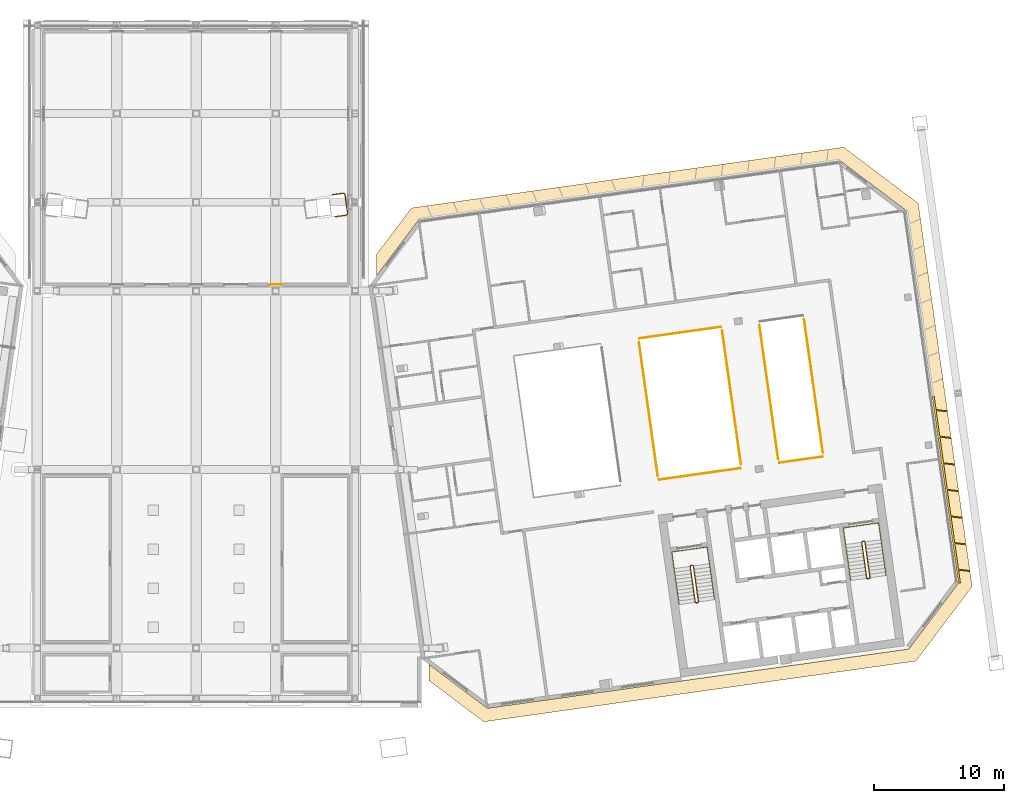
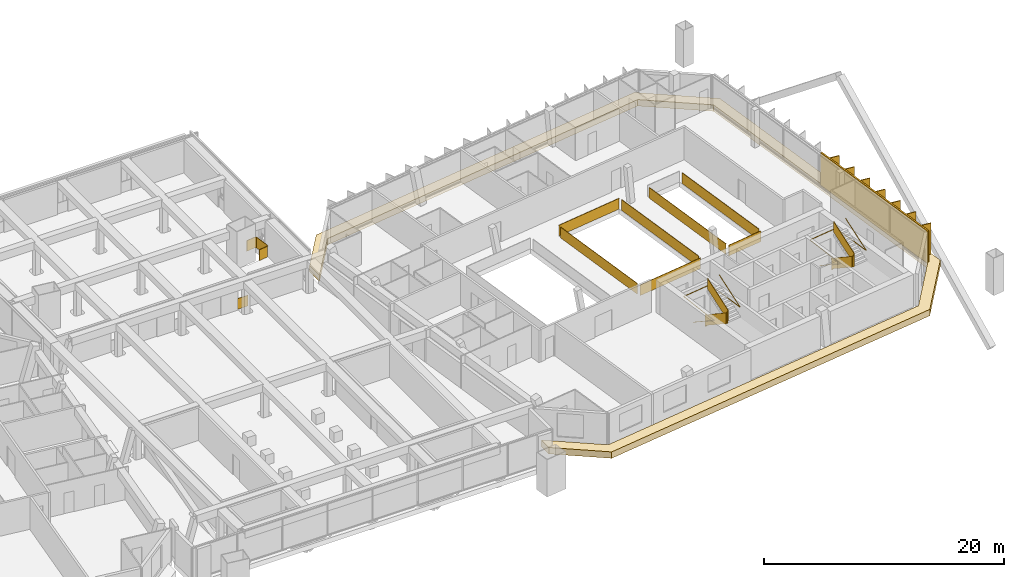
# One storey, part 26 of 28: 13 railings, 1 covering, 1 shading device.
"""IFC4 building model written with IfcOpenShell, lengths in metres."""

import ifcopenshell
import ifcopenshell.guid

model = None  # the IFC model being written
_history = None  # IfcOwnerHistory: only IFC2X3 demands one
_inside = {}  # id of a spatial element -> (the spatial element, [elements in it])
_under = {}  # id of a project, library or spatial element -> (it, [spatial elements below it])
_declared = {}  # id of a project -> (the project, [libraries it declares])
_typed = {}  # id of a type object -> (the type object, [elements of that type])
_made_of = {}  # id of a material, layer set ... -> (it, [elements and type objects made of it])


def new_model(schema):
    """Start an empty IFC model of exactly this schema.

    Asked for "IFC4X3", IfcOpenShell would pick the latest addendum, in which some entities
    have other attributes; the version numbers below select the first issue.
    IFC2X3 requires an IfcOwnerHistory on every rooted entity: one is made here for all.
    """
    global model, _history
    if schema == "IFC4X3":
        model = ifcopenshell.file(schema_version=(4, 3, 0, 0))
    else:
        model = ifcopenshell.file(schema=schema)
    _inside.clear()
    _under.clear()
    _declared.clear()
    _typed.clear()
    _made_of.clear()
    _history = None
    if model.schema == "IFC2X3":
        org = make("IfcOrganization", Name="unknown")
        user = make(
            "IfcPersonAndOrganization",
            ThePerson=make("IfcPerson", FamilyName="unknown"),
            TheOrganization=org,
        )
        app = make(
            "IfcApplication",
            ApplicationDeveloper=org,
            Version="unknown",
            ApplicationFullName="unknown",
            ApplicationIdentifier="unknown",
        )
        _history = make(
            "IfcOwnerHistory",
            OwningUser=user,
            OwningApplication=app,
            ChangeAction="ADDED",
            CreationDate=0,
        )
    return model


def make(cls, **values):
    """One entity of the class cls with the attributes given. An attribute that is None is left unset."""
    return model.create_entity(
        cls, **{name: value for name, value in values.items() if value is not None}
    )


def rooted(cls, **values):
    """An entity with a GlobalId (a new one), such as an element, a storey or a relation."""
    return make(cls, GlobalId=ifcopenshell.guid.new(), OwnerHistory=_history, **values)


def si_unit(unit_type, name, prefix=None):
    """IfcSIUnit, for example si_unit("LENGTHUNIT", "METRE", prefix="MILLI")."""
    return make("IfcSIUnit", UnitType=unit_type, Prefix=prefix, Name=name)


def assignment(units):
    """IfcUnitAssignment: the units of a project."""
    return None if units is None else make("IfcUnitAssignment", Units=units)


def point(xyz):
    """IfcCartesianPoint."""
    return None if xyz is None else make("IfcCartesianPoint", Coordinates=xyz)


def direction(xyz):
    """IfcDirection."""
    return None if xyz is None else make("IfcDirection", DirectionRatios=xyz)


def frame(location, z_axis=None, x_axis=None):
    """IfcAxis2Placement3D, a coordinate frame: its origin and axes. An axis left out is left unset."""
    return make(
        "IfcAxis2Placement3D",
        Location=point(location),
        Axis=direction(z_axis),
        RefDirection=direction(x_axis),
    )


def frame_2d(location, x_axis=None):
    """IfcAxis2Placement2D, a coordinate frame in the plane: its origin and x axis."""
    return make(
        "IfcAxis2Placement2D", Location=point(location), RefDirection=direction(x_axis)
    )


def origin():
    """The frame at (0, 0, 0) with its axes left unset."""
    return frame((0.0, 0.0, 0.0))


def origin_2d():
    """The frame at (0, 0) in the plane with its x axis left unset."""
    return frame_2d((0.0, 0.0))


def place(relative_to, where):
    """IfcLocalPlacement: puts the frame where relative to a parent placement (None: the world)."""
    return make(
        "IfcLocalPlacement", PlacementRelTo=relative_to, RelativePlacement=where
    )


def context(
    kind, dimensions, precision=None, world=None, true_north=None, identifier=None
):
    """IfcGeometricRepresentationContext, for example the 3D "Model" context."""
    return make(
        "IfcGeometricRepresentationContext",
        ContextIdentifier=identifier,
        ContextType=kind,
        CoordinateSpaceDimension=dimensions,
        Precision=precision,
        WorldCoordinateSystem=world,
        TrueNorth=true_north,
    )


def subcontext(parent, identifier, kind, view, scale=None):
    """IfcGeometricRepresentationSubContext, for example "Body" below "Model"."""
    return make(
        "IfcGeometricRepresentationSubContext",
        ContextIdentifier=identifier,
        ContextType=kind,
        ParentContext=parent,
        TargetScale=scale,
        TargetView=view,
    )


def project(units=None, contexts=None):
    """IfcProject with its units and contexts."""
    return rooted(
        "IfcProject",
        Name="project",
        RepresentationContexts=contexts,
        UnitsInContext=assignment(units),
    )


def spatial(cls, under=None, at=None, **own):
    """A site, building, storey or space (cls), placed at a placement, below another one or the project."""
    s = rooted(cls, ObjectPlacement=at, **own)
    if under is not None:
        _under.setdefault(under.id(), (under, []))[1].append(s)
    return s


def polyline(points):
    """IfcPolyline through the points."""
    return make("IfcPolyline", Points=[point(p) for p in points])


def profile(cls, at=None, kind="AREA", **sizes):
    """A parametric profile (cls). Its sizes go by their IFC names, for example OverallWidth=200.0."""
    return make(cls, ProfileType=kind, Position=at, **sizes)


def rectangle(**sizes):
    """IfcRectangleProfileDef."""
    return profile("IfcRectangleProfileDef", **sizes)


def outline(outer, holes=None, kind="AREA"):
    """IfcArbitraryClosedProfileDef: a profile drawn as a closed curve; with holes, ...WithVoids."""
    if holes is None:
        return make("IfcArbitraryClosedProfileDef", ProfileType=kind, OuterCurve=outer)
    return make(
        "IfcArbitraryProfileDefWithVoids",
        ProfileType=kind,
        OuterCurve=outer,
        InnerCurves=holes,
    )


def extrude(swept, where, along, depth):
    """IfcExtrudedAreaSolid: the profile swept, set in the frame where, extruded along a direction by depth."""
    return make(
        "IfcExtrudedAreaSolid",
        SweptArea=swept,
        Position=where,
        ExtrudedDirection=direction(along),
        Depth=depth,
    )


def shape(context_of_items, identifier, shape_type, items):
    """IfcShapeRepresentation: the items that make up one representation, for example the "Body"."""
    return make(
        "IfcShapeRepresentation",
        ContextOfItems=context_of_items,
        RepresentationIdentifier=identifier,
        RepresentationType=shape_type,
        Items=items,
    )


def material(Name=None, Category=None):
    """IfcMaterial."""
    return make("IfcMaterial", Name=Name, Category=Category)


def layer(
    of_material, thickness, ventilated=None, Name=None, Category=None, Priority=None
):
    """IfcMaterialLayer: one layer of a wall or slab, of a material (None: an air gap)."""
    return make(
        "IfcMaterialLayer",
        Material=of_material,
        LayerThickness=thickness,
        IsVentilated=ventilated,
        Name=Name,
        Category=Category,
        Priority=Priority,
    )


def layer_set(layers, Name=None):
    """IfcMaterialLayerSet."""
    return make("IfcMaterialLayerSet", MaterialLayers=layers, LayerSetName=Name)


def made_of(thing, what):
    """Note that an element or type object is made of a material, layer set ...; save() writes the relation."""
    if what is not None:
        _made_of.setdefault(what.id(), (what, []))[1].append(thing)
    return thing


def type_object(cls, material=None, **own):
    """A type object (cls), such as IfcWallType, which elements share."""
    return made_of(rooted(cls, **own), material)


def element(
    cls,
    number,
    at=None,
    inside=None,
    cuts=None,
    type_object=None,
    material=None,
    context=None,
    identifier="Body",
    shape_type=None,
    held_by="IfcProductDefinitionShape",
    body=None,
    shapes=None,
    **own,
):
    """One element of the class cls, such as IfcWall. Its Tag is "e" and its number.

    at: its placement. inside: the storey or other place that contains it. cuts: it is an
    opening in that element (IfcRelVoidsElement). A single representation is given by context,
    identifier, shape_type and body (its items); several are given by shapes. held_by: the class
    of the entity that holds the representations. save() writes the other relations.
    """
    e = rooted(cls, Tag="e%d" % number, ObjectPlacement=at, **own)
    if body is not None:
        shapes = [shape(context, identifier, shape_type, body)]
    if shapes is not None:
        e.Representation = make(held_by, Representations=shapes)
    if inside is not None:
        _inside.setdefault(inside.id(), (inside, []))[1].append(e)
    if cuts is not None:
        rooted(
            "IfcRelVoidsElement", RelatingBuildingElement=cuts, RelatedOpeningElement=e
        )
    if type_object is not None:
        _typed.setdefault(type_object.id(), (type_object, []))[1].append(e)
    return made_of(e, material)


def aggregate(whole, parts):
    """IfcRelAggregates: a whole, such as a stair, and the parts it consists of."""
    return rooted("IfcRelAggregates", RelatingObject=whole, RelatedObjects=parts)


def save(model, path):
    """Write the relations noted so far, then the file.

    IfcRelAggregates (storeys below a building ...), IfcRelContainedInSpatialStructure (elements
    in a storey), IfcRelDefinesByType, IfcRelAssociatesMaterial and IfcRelDeclares: one each for
    every whole, place, type object, material and project.
    """
    for whole, parts in _under.values():
        aggregate(whole, parts)
    for where, things in _inside.values():
        rooted(
            "IfcRelContainedInSpatialStructure",
            RelatedElements=things,
            RelatingStructure=where,
        )
    for kind, things in _typed.values():
        rooted("IfcRelDefinesByType", RelatedObjects=things, RelatingType=kind)
    for what, things in _made_of.values():
        rooted("IfcRelAssociatesMaterial", RelatedObjects=things, RelatingMaterial=what)
    for by, libraries in _declared.values():
        rooted("IfcRelDeclares", RelatingContext=by, RelatedDefinitions=libraries)
    model.write(path)


model = new_model("IFC4")

# Units and contexts
model_context = context("Model", 3, precision=1e-05, world=origin(), true_north=direction((0.0, 1.0)))
body_context = subcontext(model_context, "Body", "Model", "MODEL_VIEW")
ifc_project = project(units=[si_unit("LENGTHUNIT", "METRE"), si_unit("AREAUNIT", "SQUARE_METRE"), si_unit("VOLUMEUNIT", "CUBIC_METRE"), si_unit("PLANEANGLEUNIT", "RADIAN"), si_unit("MASSUNIT", "GRAM", prefix="KILO")], contexts=[model_context])

# Site, building, storey
site_placement = place(None, origin())
site = spatial("IfcSite", under=ifc_project, at=site_placement, CompositionType="ELEMENT")
building_placement = place(site_placement, origin())
building = spatial("IfcBuilding", under=site, at=building_placement, Name="Mirante Cascada Hotel Towers", CompositionType="ELEMENT")
storey_placement = place(building_placement, frame((0.0, 0.0, 262.2)))
storey = spatial("IfcBuildingStorey", under=building, at=storey_placement, Name="L63", CompositionType="ELEMENT", Elevation=262.2)

# Railings
ifc_material_1 = material(Name="Toughened glass with stainless steel handrail", Category="steel")
railing_type_1 = type_object("IfcRailingType", Name="Atrium guard 1100 glass balustrade", PredefinedType="GUARDRAIL", material=ifc_material_1)
railing_1_placement = place(storey_placement, frame((35.6724, -4.6362, 0.0)))
element("IfcRailing", 1, at=railing_1_placement, inside=storey, type_object=railing_type_1, Name="GUARD 2-L63-2", PredefinedType="GUARDRAIL", context=body_context, shape_type="SweptSolid", body=[
    extrude(rectangle(XDim=0.048, YDim=0.048, at=origin_2d()), frame((0.0, 0.0, 1.076), z_axis=(0.9902682, 0.1391722, 0.0), x_axis=(-0.1391722, 0.9902682, 0.0)), (0.0, 0.0, 1.0), 6.3748),
    extrude(rectangle(XDim=0.02, YDim=1.052, at=origin_2d()), frame((0.0, 0.0, 0.526), z_axis=(0.9902682, 0.1391722, 0.0), x_axis=(-0.1391722, 0.9902682, 0.0)), (0.0, 0.0, 1.0), 6.3748),
])
railing_2_placement = place(storey_placement, frame((40.4543, 7.1439, 0.0)))
element("IfcRailing", 2, at=railing_2_placement, inside=storey, type_object=railing_type_1, Name="GUARD 2-L63-3", PredefinedType="GUARDRAIL", context=body_context, shape_type="SweptSolid", body=[
    extrude(rectangle(XDim=0.048, YDim=0.048, at=origin_2d()), frame((0.0, 0.0, 1.076), z_axis=(-0.9902682, -0.1391722, 0.0), x_axis=(0.1391722, -0.9902682, 0.0)), (0.0, 0.0, 1.0), 6.3748),
    extrude(rectangle(XDim=0.02, YDim=1.052, at=origin_2d()), frame((0.0, 0.0, 0.526), z_axis=(-0.9902682, -0.1391722, 0.0), x_axis=(0.1391722, -0.9902682, 0.0)), (0.0, 0.0, 1.0), 6.3748),
])
railing_3_placement = place(storey_placement, frame((44.9561, -3.3315, 0.0)))
element("IfcRailing", 3, at=railing_3_placement, inside=storey, type_object=railing_type_1, Name="GUARD 2-L63-4", PredefinedType="GUARDRAIL", context=body_context, shape_type="SweptSolid", body=[
    extrude(rectangle(XDim=0.048, YDim=0.048, at=origin_2d()), frame((0.0, 0.0, 1.076), z_axis=(-1.0, 0.0, 0.0), x_axis=(0.0, -1.0, 0.0)), (0.0, 0.0, 1.0), 0.0001),
    extrude(rectangle(XDim=0.02, YDim=1.052, at=origin_2d()), frame((0.0, 0.0, 0.526), z_axis=(-1.0, 0.0, 0.0), x_axis=(0.0, -1.0, 0.0)), (0.0, 0.0, 1.0), 0.0001),
    extrude(rectangle(XDim=0.048, YDim=0.048, at=origin_2d()), frame((-0.0001, 0.0, 1.076), z_axis=(0.9902676, 0.1391767, 0.0), x_axis=(-0.1391767, 0.9902676, 0.0)), (0.0, 0.0, 1.0), 3.3748),
    extrude(rectangle(XDim=0.02, YDim=1.052, at=origin_2d()), frame((-0.0001, 0.0, 0.526), z_axis=(0.9902676, 0.1391767, 0.0), x_axis=(-0.1391767, 0.9902676, 0.0)), (0.0, 0.0, 1.0), 3.3748),
    extrude(rectangle(XDim=0.048, YDim=0.048, at=origin_2d()), frame((3.3419, 0.4697, 1.076), z_axis=(-0.9902566, -0.1392548, 0.0), x_axis=(0.1392548, -0.9902566, 0.0)), (0.0, 0.0, 1.0), 0.1874),
    extrude(rectangle(XDim=0.02, YDim=1.052, at=origin_2d()), frame((3.3419, 0.4697, 0.526), z_axis=(-0.9902566, -0.1392548, 0.0), x_axis=(0.1392548, -0.9902566, 0.0)), (0.0, 0.0, 1.0), 0.1874),
])
railing_4_placement = place(storey_placement, frame((34.1341, 5.9571, 0.0)))
element("IfcRailing", 4, at=railing_4_placement, inside=storey, type_object=railing_type_1, Name="GUARD 2-L63-7", PredefinedType="GUARDRAIL", context=body_context, shape_type="SweptSolid", body=[
    extrude(rectangle(XDim=0.048, YDim=0.048, at=origin_2d()), frame((0.0, 0.0, 1.076), z_axis=(0.1391721, -0.9902682, 0.0), x_axis=(0.9902682, 0.1391721, 0.0)), (0.0, 0.0, 1.0), 10.4087),
    extrude(rectangle(XDim=0.02, YDim=1.052, at=origin_2d()), frame((0.0, 0.0, 0.526), z_axis=(0.1391721, -0.9902682, 0.0), x_axis=(0.9902682, 0.1391721, 0.0)), (0.0, 0.0, 1.0), 10.4087),
])
railing_5_placement = place(storey_placement, frame((41.9926, -3.4494, 0.0)))
element("IfcRailing", 5, at=railing_5_placement, inside=storey, type_object=railing_type_1, Name="GUARD 2-L63-8", PredefinedType="GUARDRAIL", context=body_context, shape_type="SweptSolid", body=[
    extrude(rectangle(XDim=0.048, YDim=0.048, at=origin_2d()), frame((0.0, 0.0, 1.076), z_axis=(-0.1391721, 0.9902682, 0.0), x_axis=(-0.9902682, -0.1391721, 0.0)), (0.0, 0.0, 1.0), 10.4087),
    extrude(rectangle(XDim=0.02, YDim=1.052, at=origin_2d()), frame((0.0, 0.0, 0.526), z_axis=(-0.1391721, 0.9902682, 0.0), x_axis=(-0.9902682, -0.1391721, 0.0)), (0.0, 0.0, 1.0), 10.4087),
])
railing_6_placement = place(storey_placement, frame((43.4177, 7.2619, 0.0)))
element("IfcRailing", 6, at=railing_6_placement, inside=storey, type_object=railing_type_1, Name="GUARD 2-L63-9", PredefinedType="GUARDRAIL", context=body_context, shape_type="SweptSolid", body=[
    extrude(rectangle(XDim=0.048, YDim=0.048, at=origin_2d()), frame((0.0, 0.0, 1.076), z_axis=(0.1391721, -0.9902682, 0.0), x_axis=(0.9902682, 0.1391721, 0.0)), (0.0, 0.0, 1.0), 10.4087),
    extrude(rectangle(XDim=0.02, YDim=1.052, at=origin_2d()), frame((0.0, 0.0, 0.526), z_axis=(0.1391721, -0.9902682, 0.0), x_axis=(0.9902682, 0.1391721, 0.0)), (0.0, 0.0, 1.0), 10.4087),
])
railing_7_placement = place(storey_placement, frame((48.3064, -2.5622, 0.0)))
element("IfcRailing", 7, at=railing_7_placement, inside=storey, type_object=railing_type_1, Name="GUARD 2-L63-10", PredefinedType="GUARDRAIL", context=body_context, shape_type="SweptSolid", body=[
    extrude(rectangle(XDim=0.048, YDim=0.048, at=origin_2d()), frame((0.0, 0.0, 1.076), z_axis=(-0.1391776, 0.9902674, 0.0), x_axis=(-0.9902674, -0.1391776, 0.0)), (0.0, 0.0, 1.0), 10.409),
    extrude(rectangle(XDim=0.02, YDim=1.052, at=origin_2d()), frame((0.0, 0.0, 0.526), z_axis=(-0.1391776, 0.9902674, 0.0), x_axis=(-0.9902674, -0.1391776, 0.0)), (0.0, 0.0, 1.0), 10.409),
])
ifc_material_2 = material(Name="Toughened glass", Category="glass")
railing_type_2 = type_object("IfcRailingType", Name="Deck column opening guard 1100 glass balustrade", PredefinedType="GUARDRAIL", material=ifc_material_2)
railing_8_placement = place(storey_placement, frame((10.7317, 15.64, 0.0)))
element("IfcRailing", 8, at=railing_8_placement, inside=storey, type_object=railing_type_2, Name="Column opening guard L63 4", PredefinedType="GUARDRAIL", context=body_context, shape_type="SweptSolid", body=[
    extrude(rectangle(XDim=0.048, YDim=0.048, at=origin_2d()), frame((0.0, 0.0, 1.076), z_axis=(0.9902563, 0.1392567, 0.0), x_axis=(-0.1392567, 0.9902563, 0.0)), (0.0, 0.0, 1.0), 0.815),
    extrude(rectangle(XDim=0.02, YDim=1.052, at=origin_2d()), frame((0.0, 0.0, 0.526), z_axis=(0.9902563, 0.1392567, 0.0), x_axis=(-0.1392567, 0.9902563, 0.0)), (0.0, 0.0, 1.0), 0.815),
    extrude(rectangle(XDim=0.048, YDim=0.048, at=origin_2d()), frame((0.8071, 0.1135, 1.076), z_axis=(0.9825335, 0.1860859, 0.0), x_axis=(-0.1860859, 0.9825335, 0.0)), (0.0, 0.0, 1.0), 0.0134),
    extrude(rectangle(XDim=0.02, YDim=1.052, at=origin_2d()), frame((0.8071, 0.1135, 0.526), z_axis=(0.9825335, 0.1860859, 0.0), x_axis=(-0.1860859, 0.9825335, 0.0)), (0.0, 0.0, 1.0), 0.0134),
    extrude(rectangle(XDim=0.048, YDim=0.048, at=origin_2d()), frame((0.8203, 0.116, 1.076), z_axis=(0.9589343, 0.2836284, 0.0), x_axis=(-0.2836284, 0.9589343, 0.0)), (0.0, 0.0, 1.0), 0.0148),
    extrude(rectangle(XDim=0.02, YDim=1.052, at=origin_2d()), frame((0.8203, 0.116, 0.526), z_axis=(0.9589343, 0.2836284, 0.0), x_axis=(-0.2836284, 0.9589343, 0.0)), (0.0, 0.0, 1.0), 0.0148),
    extrude(rectangle(XDim=0.048, YDim=0.048, at=origin_2d()), frame((0.8345, 0.1202, 1.076), z_axis=(0.9270597, 0.3749138, 0.0), x_axis=(-0.3749138, 0.9270597, 0.0)), (0.0, 0.0, 1.0), 0.0147),
    extrude(rectangle(XDim=0.02, YDim=1.052, at=origin_2d()), frame((0.8345, 0.1202, 0.526), z_axis=(0.9270597, 0.3749138, 0.0), x_axis=(-0.3749138, 0.9270597, 0.0)), (0.0, 0.0, 1.0), 0.0147),
    extrude(rectangle(XDim=0.048, YDim=0.048, at=origin_2d()), frame((0.8481, 0.1257, 1.076), z_axis=(0.8875494, 0.4607126, 0.0), x_axis=(-0.4607126, 0.8875494, 0.0)), (0.0, 0.0, 1.0), 0.0148),
    extrude(rectangle(XDim=0.02, YDim=1.052, at=origin_2d()), frame((0.8481, 0.1257, 0.526), z_axis=(0.8875494, 0.4607126, 0.0), x_axis=(-0.4607126, 0.8875494, 0.0)), (0.0, 0.0, 1.0), 0.0148),
    extrude(rectangle(XDim=0.048, YDim=0.048, at=origin_2d()), frame((0.8612, 0.1325, 1.076), z_axis=(0.8351709, 0.5499906, 0.0), x_axis=(-0.5499906, 0.8351709, 0.0)), (0.0, 0.0, 1.0), 0.0147),
    extrude(rectangle(XDim=0.02, YDim=1.052, at=origin_2d()), frame((0.8612, 0.1325, 0.526), z_axis=(0.8351709, 0.5499906, 0.0), x_axis=(-0.5499906, 0.8351709, 0.0)), (0.0, 0.0, 1.0), 0.0147),
    extrude(rectangle(XDim=0.048, YDim=0.048, at=origin_2d()), frame((0.8735, 0.1406, 1.076), z_axis=(0.774865, 0.6321267, 0.0), x_axis=(-0.6321267, 0.774865, 0.0)), (0.0, 0.0, 1.0), 0.0147),
    extrude(rectangle(XDim=0.02, YDim=1.052, at=origin_2d()), frame((0.8735, 0.1406, 0.526), z_axis=(0.774865, 0.6321267, 0.0), x_axis=(-0.6321267, 0.774865, 0.0)), (0.0, 0.0, 1.0), 0.0147),
    extrude(rectangle(XDim=0.048, YDim=0.048, at=origin_2d()), frame((0.8849, 0.1499, 1.076), z_axis=(0.7138729, 0.7002753, 0.0), x_axis=(-0.7002753, 0.7138729, 0.0)), (0.0, 0.0, 1.0), 0.0147),
    extrude(rectangle(XDim=0.02, YDim=1.052, at=origin_2d()), frame((0.8849, 0.1499, 0.526), z_axis=(0.7138729, 0.7002753, 0.0), x_axis=(-0.7002753, 0.7138729, 0.0)), (0.0, 0.0, 1.0), 0.0147),
    extrude(rectangle(XDim=0.048, YDim=0.048, at=origin_2d()), frame((0.8954, 0.1602, 1.076), z_axis=(0.639515, 0.7687786, 0.0), x_axis=(-0.7687786, 0.639515, 0.0)), (0.0, 0.0, 1.0), 0.0147),
    extrude(rectangle(XDim=0.02, YDim=1.052, at=origin_2d()), frame((0.8954, 0.1602, 0.526), z_axis=(0.639515, 0.7687786, 0.0), x_axis=(-0.7687786, 0.639515, 0.0)), (0.0, 0.0, 1.0), 0.0147),
    extrude(rectangle(XDim=0.048, YDim=0.048, at=origin_2d()), frame((0.9048, 0.1715, 1.076), z_axis=(0.5624954, 0.8268004, 0.0), x_axis=(-0.8268004, 0.5624954, 0.0)), (0.0, 0.0, 1.0), 0.0148),
    extrude(rectangle(XDim=0.02, YDim=1.052, at=origin_2d()), frame((0.9048, 0.1715, 0.526), z_axis=(0.5624954, 0.8268004, 0.0), x_axis=(-0.8268004, 0.5624954, 0.0)), (0.0, 0.0, 1.0), 0.0148),
    extrude(rectangle(XDim=0.048, YDim=0.048, at=origin_2d()), frame((0.9131, 0.1837, 1.076), z_axis=(0.4821794, 0.8760725, 0.0), x_axis=(-0.8760725, 0.4821794, 0.0)), (0.0, 0.0, 1.0), 0.0147),
    extrude(rectangle(XDim=0.02, YDim=1.052, at=origin_2d()), frame((0.9131, 0.1837, 0.526), z_axis=(0.4821794, 0.8760725, 0.0), x_axis=(-0.8760725, 0.4821794, 0.0)), (0.0, 0.0, 1.0), 0.0147),
    extrude(rectangle(XDim=0.048, YDim=0.048, at=origin_2d()), frame((0.9202, 0.1966, 1.076), z_axis=(0.3865406, 0.9222724, 0.0), x_axis=(-0.9222724, 0.3865406, 0.0)), (0.0, 0.0, 1.0), 0.0147),
    extrude(rectangle(XDim=0.02, YDim=1.052, at=origin_2d()), frame((0.9202, 0.1966, 0.526), z_axis=(0.3865406, 0.9222724, 0.0), x_axis=(-0.9222724, 0.3865406, 0.0)), (0.0, 0.0, 1.0), 0.0147),
    extrude(rectangle(XDim=0.048, YDim=0.048, at=origin_2d()), frame((0.9259, 0.2102, 1.076), z_axis=(0.2978895, 0.9546004, 0.0), x_axis=(-0.9546004, 0.2978895, 0.0)), (0.0, 0.0, 1.0), 0.0148),
    extrude(rectangle(XDim=0.02, YDim=1.052, at=origin_2d()), frame((0.9259, 0.2102, 0.526), z_axis=(0.2978895, 0.9546004, 0.0), x_axis=(-0.9546004, 0.2978895, 0.0)), (0.0, 0.0, 1.0), 0.0148),
    extrude(rectangle(XDim=0.048, YDim=0.048, at=origin_2d()), frame((0.9303, 0.2243, 1.076), z_axis=(0.2039543, 0.9789804, 0.0), x_axis=(-0.9789804, 0.2039543, 0.0)), (0.0, 0.0, 1.0), 0.0147),
    extrude(rectangle(XDim=0.02, YDim=1.052, at=origin_2d()), frame((0.9303, 0.2243, 0.526), z_axis=(0.2039543, 0.9789804, 0.0), x_axis=(-0.9789804, 0.2039543, 0.0)), (0.0, 0.0, 1.0), 0.0147),
    extrude(rectangle(XDim=0.048, YDim=0.048, at=origin_2d()), frame((0.9333, 0.2387, 1.076), z_axis=(0.1022017, 0.9947637, 0.0), x_axis=(-0.9947637, 0.1022017, 0.0)), (0.0, 0.0, 1.0), 0.0147),
    extrude(rectangle(XDim=0.02, YDim=1.052, at=origin_2d()), frame((0.9333, 0.2387, 0.526), z_axis=(0.1022017, 0.9947637, 0.0), x_axis=(-0.9947637, 0.1022017, 0.0)), (0.0, 0.0, 1.0), 0.0147),
    extrude(rectangle(XDim=0.048, YDim=0.048, at=origin_2d()), frame((0.9348, 0.2533, 1.076), z_axis=(0.0067566, 0.9999772, 0.0), x_axis=(-0.9999772, 0.0067566, 0.0)), (0.0, 0.0, 1.0), 0.0148),
    extrude(rectangle(XDim=0.02, YDim=1.052, at=origin_2d()), frame((0.9348, 0.2533, 0.526), z_axis=(0.0067566, 0.9999772, 0.0), x_axis=(-0.9999772, 0.0067566, 0.0)), (0.0, 0.0, 1.0), 0.0148),
    extrude(rectangle(XDim=0.048, YDim=0.048, at=origin_2d()), frame((0.9349, 0.2681, 1.076), z_axis=(-0.0891953, 0.9960142, 0.0), x_axis=(-0.9960142, -0.0891953, 0.0)), (0.0, 0.0, 1.0), 0.0135),
    extrude(rectangle(XDim=0.02, YDim=1.052, at=origin_2d()), frame((0.9349, 0.2681, 0.526), z_axis=(-0.0891953, 0.9960142, 0.0), x_axis=(-0.9960142, -0.0891953, 0.0)), (0.0, 0.0, 1.0), 0.0135),
    extrude(rectangle(XDim=0.048, YDim=0.048, at=origin_2d()), frame((0.9337, 0.2815, 1.076), z_axis=(-0.1391849, 0.9902664, 0.0), x_axis=(-0.9902664, -0.1391849, 0.0)), (0.0, 0.0, 1.0), 1.4025),
    extrude(rectangle(XDim=0.02, YDim=1.052, at=origin_2d()), frame((0.9337, 0.2815, 0.526), z_axis=(-0.1391849, 0.9902664, 0.0), x_axis=(-0.9902664, -0.1391849, 0.0)), (0.0, 0.0, 1.0), 1.4025),
    extrude(rectangle(XDim=0.048, YDim=0.048, at=origin_2d()), frame((0.7385, 1.6703, 1.076), z_axis=(-0.1847347, 0.9827884, 0.0), x_axis=(-0.9827884, -0.1847347, 0.0)), (0.0, 0.0, 1.0), 0.0135),
    extrude(rectangle(XDim=0.02, YDim=1.052, at=origin_2d()), frame((0.7385, 1.6703, 0.526), z_axis=(-0.1847347, 0.9827884, 0.0), x_axis=(-0.9827884, -0.1847347, 0.0)), (0.0, 0.0, 1.0), 0.0135),
    extrude(rectangle(XDim=0.048, YDim=0.048, at=origin_2d()), frame((0.736, 1.6836, 1.076), z_axis=(-0.2854766, 0.9583857, 0.0), x_axis=(-0.9583857, -0.2854766, 0.0)), (0.0, 0.0, 1.0), 0.0147),
    extrude(rectangle(XDim=0.02, YDim=1.052, at=origin_2d()), frame((0.736, 1.6836, 0.526), z_axis=(-0.2854766, 0.9583857, 0.0), x_axis=(-0.9583857, -0.2854766, 0.0)), (0.0, 0.0, 1.0), 0.0147),
    extrude(rectangle(XDim=0.048, YDim=0.048, at=origin_2d()), frame((0.7318, 1.6977, 1.076), z_axis=(-0.3749138, 0.9270597, 0.0), x_axis=(-0.9270597, -0.3749138, 0.0)), (0.0, 0.0, 1.0), 0.0147),
    extrude(rectangle(XDim=0.02, YDim=1.052, at=origin_2d()), frame((0.7318, 1.6977, 0.526), z_axis=(-0.3749138, 0.9270597, 0.0), x_axis=(-0.9270597, -0.3749138, 0.0)), (0.0, 0.0, 1.0), 0.0147),
    extrude(rectangle(XDim=0.048, YDim=0.048, at=origin_2d()), frame((0.7263, 1.7113, 1.076), z_axis=(-0.4607126, 0.8875494, 0.0), x_axis=(-0.8875494, -0.4607126, 0.0)), (0.0, 0.0, 1.0), 0.0148),
    extrude(rectangle(XDim=0.02, YDim=1.052, at=origin_2d()), frame((0.7263, 1.7113, 0.526), z_axis=(-0.4607126, 0.8875494, 0.0), x_axis=(-0.8875494, -0.4607126, 0.0)), (0.0, 0.0, 1.0), 0.0148),
    extrude(rectangle(XDim=0.048, YDim=0.048, at=origin_2d()), frame((0.7195, 1.7244, 1.076), z_axis=(-0.5499906, 0.8351709, 0.0), x_axis=(-0.8351709, -0.5499906, 0.0)), (0.0, 0.0, 1.0), 0.0147),
    extrude(rectangle(XDim=0.02, YDim=1.052, at=origin_2d()), frame((0.7195, 1.7244, 0.526), z_axis=(-0.5499906, 0.8351709, 0.0), x_axis=(-0.8351709, -0.5499906, 0.0)), (0.0, 0.0, 1.0), 0.0147),
    extrude(rectangle(XDim=0.048, YDim=0.048, at=origin_2d()), frame((0.7114, 1.7367, 1.076), z_axis=(-0.6321267, 0.774865, 0.0), x_axis=(-0.774865, -0.6321267, 0.0)), (0.0, 0.0, 1.0), 0.0147),
    extrude(rectangle(XDim=0.02, YDim=1.052, at=origin_2d()), frame((0.7114, 1.7367, 0.526), z_axis=(-0.6321267, 0.774865, 0.0), x_axis=(-0.774865, -0.6321267, 0.0)), (0.0, 0.0, 1.0), 0.0147),
    extrude(rectangle(XDim=0.048, YDim=0.048, at=origin_2d()), frame((0.7021, 1.7481, 1.076), z_axis=(-0.7002753, 0.7138729, 0.0), x_axis=(-0.7138729, -0.7002753, 0.0)), (0.0, 0.0, 1.0), 0.0147),
    extrude(rectangle(XDim=0.02, YDim=1.052, at=origin_2d()), frame((0.7021, 1.7481, 0.526), z_axis=(-0.7002753, 0.7138729, 0.0), x_axis=(-0.7138729, -0.7002753, 0.0)), (0.0, 0.0, 1.0), 0.0147),
    extrude(rectangle(XDim=0.048, YDim=0.048, at=origin_2d()), frame((0.6918, 1.7586, 1.076), z_axis=(-0.7654379, 0.6435098, 0.0), x_axis=(-0.6435098, -0.7654379, 0.0)), (0.0, 0.0, 1.0), 0.0148),
    extrude(rectangle(XDim=0.02, YDim=1.052, at=origin_2d()), frame((0.6918, 1.7586, 0.526), z_axis=(-0.7654379, 0.6435098, 0.0), x_axis=(-0.6435098, -0.7654379, 0.0)), (0.0, 0.0, 1.0), 0.0148),
    extrude(rectangle(XDim=0.048, YDim=0.048, at=origin_2d()), frame((0.6805, 1.7681, 1.076), z_axis=(-0.8299512, 0.557836, 0.0), x_axis=(-0.557836, -0.8299512, 0.0)), (0.0, 0.0, 1.0), 0.0147),
    extrude(rectangle(XDim=0.02, YDim=1.052, at=origin_2d()), frame((0.6805, 1.7681, 0.526), z_axis=(-0.8299512, 0.557836, 0.0), x_axis=(-0.557836, -0.8299512, 0.0)), (0.0, 0.0, 1.0), 0.0147),
    extrude(rectangle(XDim=0.048, YDim=0.048, at=origin_2d()), frame((0.6683, 1.7763, 1.076), z_axis=(-0.8760725, 0.4821794, 0.0), x_axis=(-0.4821794, -0.8760725, 0.0)), (0.0, 0.0, 1.0), 0.0147),
    extrude(rectangle(XDim=0.02, YDim=1.052, at=origin_2d()), frame((0.6683, 1.7763, 0.526), z_axis=(-0.8760725, 0.4821794, 0.0), x_axis=(-0.4821794, -0.8760725, 0.0)), (0.0, 0.0, 1.0), 0.0147),
    extrude(rectangle(XDim=0.048, YDim=0.048, at=origin_2d()), frame((0.6554, 1.7834, 1.076), z_axis=(-0.9222724, 0.3865406, 0.0), x_axis=(-0.3865406, -0.9222724, 0.0)), (0.0, 0.0, 1.0), 0.0147),
    extrude(rectangle(XDim=0.02, YDim=1.052, at=origin_2d()), frame((0.6554, 1.7834, 0.526), z_axis=(-0.9222724, 0.3865406, 0.0), x_axis=(-0.3865406, -0.9222724, 0.0)), (0.0, 0.0, 1.0), 0.0147),
    extrude(rectangle(XDim=0.048, YDim=0.048, at=origin_2d()), frame((0.6418, 1.7891, 1.076), z_axis=(-0.9546004, 0.2978895, 0.0), x_axis=(-0.2978895, -0.9546004, 0.0)), (0.0, 0.0, 1.0), 0.0148),
    extrude(rectangle(XDim=0.02, YDim=1.052, at=origin_2d()), frame((0.6418, 1.7891, 0.526), z_axis=(-0.9546004, 0.2978895, 0.0), x_axis=(-0.2978895, -0.9546004, 0.0)), (0.0, 0.0, 1.0), 0.0148),
    extrude(rectangle(XDim=0.048, YDim=0.048, at=origin_2d()), frame((0.6277, 1.7935, 1.076), z_axis=(-0.9789804, 0.2039543, 0.0), x_axis=(-0.2039543, -0.9789804, 0.0)), (0.0, 0.0, 1.0), 0.0147),
    extrude(rectangle(XDim=0.02, YDim=1.052, at=origin_2d()), frame((0.6277, 1.7935, 0.526), z_axis=(-0.9789804, 0.2039543, 0.0), x_axis=(-0.2039543, -0.9789804, 0.0)), (0.0, 0.0, 1.0), 0.0147),
    extrude(rectangle(XDim=0.048, YDim=0.048, at=origin_2d()), frame((0.6133, 1.7965, 1.076), z_axis=(-0.9947637, 0.1022017, 0.0), x_axis=(-0.1022017, -0.9947637, 0.0)), (0.0, 0.0, 1.0), 0.0147),
    extrude(rectangle(XDim=0.02, YDim=1.052, at=origin_2d()), frame((0.6133, 1.7965, 0.526), z_axis=(-0.9947637, 0.1022017, 0.0), x_axis=(-0.1022017, -0.9947637, 0.0)), (0.0, 0.0, 1.0), 0.0147),
    extrude(rectangle(XDim=0.048, YDim=0.048, at=origin_2d()), frame((0.5987, 1.798, 1.076), z_axis=(-0.9999772, 0.0067566, 0.0), x_axis=(-0.0067566, -0.9999772, 0.0)), (0.0, 0.0, 1.0), 0.0148),
    extrude(rectangle(XDim=0.02, YDim=1.052, at=origin_2d()), frame((0.5987, 1.798, 0.526), z_axis=(-0.9999772, 0.0067566, 0.0), x_axis=(-0.0067566, -0.9999772, 0.0)), (0.0, 0.0, 1.0), 0.0148),
    extrude(rectangle(XDim=0.048, YDim=0.048, at=origin_2d()), frame((0.5839, 1.7981, 1.076), z_axis=(-0.9960142, -0.0891953, 0.0), x_axis=(0.0891953, -0.9960142, 0.0)), (0.0, 0.0, 1.0), 0.0135),
    extrude(rectangle(XDim=0.02, YDim=1.052, at=origin_2d()), frame((0.5839, 1.7981, 0.526), z_axis=(-0.9960142, -0.0891953, 0.0), x_axis=(0.0891953, -0.9960142, 0.0)), (0.0, 0.0, 1.0), 0.0135),
    extrude(rectangle(XDim=0.048, YDim=0.048, at=origin_2d()), frame((0.5705, 1.7969, 1.076), z_axis=(-0.9902732, -0.1391364, 0.0), x_axis=(0.1391364, -0.9902732, 0.0)), (0.0, 0.0, 1.0), 0.815),
    extrude(rectangle(XDim=0.02, YDim=1.052, at=origin_2d()), frame((0.5705, 1.7969, 0.526), z_axis=(-0.9902732, -0.1391364, 0.0), x_axis=(0.1391364, -0.9902732, 0.0)), (0.0, 0.0, 1.0), 0.815),
])

# Covering
ifc_material_3 = material(Name="Precast concrete C40/50 white", Category="concrete")
ifc_layer = layer(ifc_material_3, 0.6)
ifc_layer_set = layer_set([ifc_layer], Name="Precast concrete SUNSHADE band 1000x600")
covering_type = type_object("IfcCoveringType", Name="Precast concrete SUNSHADE band 1000x600", PredefinedType="CLADDING", material=ifc_layer_set)
covering_placement = place(storey_placement, frame((0.0, 0.0, -0.5)))
element("IfcCovering", 9, at=covering_placement, inside=storey, type_object=covering_type, Name="Precast concrete SUNSHADE band T2 L63", PredefinedType="CLADDING", context=body_context, shape_type="SweptSolid", body=[
    extrude(outline(polyline([(49.9078, 20.9944), (55.6518, 16.6659), (59.8032, -12.8722), (55.4747, -18.6163), (22.1617, -23.2982), (17.9502, -20.1246), (17.9502, -18.8724), (22.4327, -22.2502), (54.9253, -17.6837), (58.7552, -12.6012), (54.7192, 16.1166), (49.6367, 19.9465), (17.1441, 15.3799), (13.9142, 11.0937), (13.9142, 12.7553), (16.5947, 16.3126), (49.9078, 20.9944)])), origin(), (0.0, 0.0, 1.0), 0.65),
])

# Railings
ifc_material_4 = material(Name="Painted steel", Category="steel")
railing_type_3 = type_object("IfcRailingType", Name="Stair guard 1100 steel balustrade", PredefinedType="GUARDRAIL", material=ifc_material_4)
railing_9_placement = place(storey_placement, frame((38.2663, -11.2395, 0.0)))
element("IfcRailing", 10, at=railing_9_placement, inside=storey, type_object=railing_type_3, Name="L63 ST2-A stair guard 1", PredefinedType="GUARDRAIL", context=body_context, shape_type="SweptSolid", body=[
    extrude(rectangle(XDim=0.048, YDim=0.048, at=origin_2d()), frame((0.0, 0.0, 1.076), z_axis=(-0.9903326, -0.1387133, 0.0), x_axis=(0.1387133, -0.9903326, 0.0)), (0.0, 0.0, 1.0), 0.1499),
    extrude(rectangle(XDim=0.02, YDim=1.052, at=origin_2d()), frame((0.0, 0.0, 0.526), z_axis=(-0.9903326, -0.1387133, 0.0), x_axis=(0.1387133, -0.9903326, 0.0)), (0.0, 0.0, 1.0), 0.1499),
    extrude(rectangle(XDim=0.048, YDim=0.048, at=origin_2d()), frame((-0.1485, -0.0208, 1.076), z_axis=(-0.6020331, -0.7984711, 0.0), x_axis=(0.7984711, -0.6020331, 0.0)), (0.0, 0.9253398, 0.3791387), 0.1866),
    extrude(rectangle(XDim=0.02, YDim=1.052, at=origin_2d()), frame((-0.1485, -0.0208, 0.526), z_axis=(-0.6020331, -0.7984711, 0.0), x_axis=(0.7984711, -0.6020331, 0.0)), (0.0, 0.9253398, 0.3791387), 0.1866),
    extrude(rectangle(XDim=0.048, YDim=0.048, at=origin_2d()), frame((-0.1911, -0.0773, 1.2487), z_axis=(0.139176, -0.9902677, 0.0), x_axis=(0.9902677, 0.139176, 0.0)), (0.0, 0.5250212, 0.8510891), 3.29),
    extrude(rectangle(XDim=0.02, YDim=1.052, at=origin_2d()), frame((-0.1911, -0.0773, 0.6987), z_axis=(0.139176, -0.9902677, 0.0), x_axis=(0.9902677, 0.139176, 0.0)), (0.0, 0.5250212, 0.8510891), 3.29),
    extrude(rectangle(XDim=0.048, YDim=0.048, at=origin_2d()), frame((0.1986, -2.8501, 2.976), z_axis=(0.9944948, -0.1047858, 0.0), x_axis=(0.1047858, 0.9944948, 0.0)), (0.0, 0.0, 1.0), 0.2061),
    extrude(rectangle(XDim=0.02, YDim=1.052, at=origin_2d()), frame((0.1986, -2.8501, 2.426), z_axis=(0.9944948, -0.1047858, 0.0), x_axis=(0.1047858, 0.9944948, 0.0)), (0.0, 0.0, 1.0), 0.2061),
    extrude(rectangle(XDim=0.048, YDim=0.048, at=origin_2d()), frame((0.4036, -2.8717, 2.976), z_axis=(-0.9902408, -0.1393672, 0.0), x_axis=(0.1393672, -0.9902408, 0.0)), (0.0, 0.0, 1.0), 0.15),
    extrude(rectangle(XDim=0.02, YDim=1.052, at=origin_2d()), frame((0.4036, -2.8717, 2.426), z_axis=(-0.9902408, -0.1393672, 0.0), x_axis=(0.1393672, -0.9902408, 0.0)), (0.0, 0.0, 1.0), 0.15),
    extrude(rectangle(XDim=0.048, YDim=0.048, at=origin_2d()), frame((0.2551, -2.8926, 2.976), z_axis=(0.9270311, 0.3749843, 0.0), x_axis=(-0.3749843, 0.9270311, 0.0)), (0.0, 0.6421903, 0.7665452), 0.2689),
    extrude(rectangle(XDim=0.02, YDim=1.052, at=origin_2d()), frame((0.2551, -2.8926, 2.426), z_axis=(0.9270311, 0.3749843, 0.0), x_axis=(-0.3749843, 0.9270311, 0.0)), (0.0, 0.6421903, 0.7665452), 0.2689),
    extrude(rectangle(XDim=0.048, YDim=0.048, at=origin_2d()), frame((0.4462, -2.8153, 3.1487), z_axis=(-0.139176, 0.9902677, 0.0), x_axis=(-0.9902677, -0.139176, 0.0)), (0.0, 0.5250212, 0.8510891), 3.29),
    extrude(rectangle(XDim=0.02, YDim=1.052, at=origin_2d()), frame((0.4462, -2.8153, 2.5987), z_axis=(-0.139176, 0.9902677, 0.0), x_axis=(-0.9902677, -0.139176, 0.0)), (0.0, 0.5250212, 0.8510891), 3.29),
])
railing_10_placement = place(storey_placement, frame((51.4864, -9.3815, 0.0)))
element("IfcRailing", 11, at=railing_10_placement, inside=storey, type_object=railing_type_3, Name="L63 ST2-B stair guard 1", PredefinedType="GUARDRAIL", context=body_context, shape_type="SweptSolid", body=[
    extrude(rectangle(XDim=0.048, YDim=0.048, at=origin_2d()), frame((0.0, 0.0, 1.076), z_axis=(-0.9902408, -0.1393672, 0.0), x_axis=(0.1393672, -0.9902408, 0.0)), (0.0, 0.0, 1.0), 0.15),
    extrude(rectangle(XDim=0.02, YDim=1.052, at=origin_2d()), frame((0.0, 0.0, 0.526), z_axis=(-0.9902408, -0.1393672, 0.0), x_axis=(0.1393672, -0.9902408, 0.0)), (0.0, 0.0, 1.0), 0.15),
    extrude(rectangle(XDim=0.048, YDim=0.048, at=origin_2d()), frame((-0.1485, -0.0209, 1.076), z_axis=(-0.6020331, -0.7984711, 0.0), x_axis=(0.7984711, -0.6020331, 0.0)), (0.0, 0.9253398, 0.3791387), 0.1866),
    extrude(rectangle(XDim=0.02, YDim=1.052, at=origin_2d()), frame((-0.1485, -0.0209, 0.526), z_axis=(-0.6020331, -0.7984711, 0.0), x_axis=(0.7984711, -0.6020331, 0.0)), (0.0, 0.9253398, 0.3791387), 0.1866),
    extrude(rectangle(XDim=0.048, YDim=0.048, at=origin_2d()), frame((-0.1911, -0.0774, 1.2487), z_axis=(0.139181, -0.990267, 0.0), x_axis=(0.990267, 0.139181, 0.0)), (0.0, 0.5250347, 0.8510808), 3.2899),
    extrude(rectangle(XDim=0.02, YDim=1.052, at=origin_2d()), frame((-0.1911, -0.0774, 0.6987), z_axis=(0.139181, -0.990267, 0.0), x_axis=(0.990267, 0.139181, 0.0)), (0.0, 0.5250347, 0.8510808), 3.2899),
    extrude(rectangle(XDim=0.048, YDim=0.048, at=origin_2d()), frame((0.1986, -2.8501, 2.976), z_axis=(0.9944441, -0.1052656, 0.0), x_axis=(0.1052656, 0.9944441, 0.0)), (0.0, 0.0, 1.0), 0.2061),
    extrude(rectangle(XDim=0.02, YDim=1.052, at=origin_2d()), frame((0.1986, -2.8501, 2.426), z_axis=(0.9944441, -0.1052656, 0.0), x_axis=(0.1052656, 0.9944441, 0.0)), (0.0, 0.0, 1.0), 0.2061),
    extrude(rectangle(XDim=0.048, YDim=0.048, at=origin_2d()), frame((0.4036, -2.8718, 2.976), z_axis=(-0.9902408, -0.1393672, 0.0), x_axis=(0.1393672, -0.9902408, 0.0)), (0.0, 0.0, 1.0), 0.15),
    extrude(rectangle(XDim=0.02, YDim=1.052, at=origin_2d()), frame((0.4036, -2.8718, 2.426), z_axis=(-0.9902408, -0.1393672, 0.0), x_axis=(0.1393672, -0.9902408, 0.0)), (0.0, 0.0, 1.0), 0.15),
    extrude(rectangle(XDim=0.048, YDim=0.048, at=origin_2d()), frame((0.2551, -2.8927, 2.976), z_axis=(0.9268624, 0.3754011, 0.0), x_axis=(-0.3754011, 0.9268624, 0.0)), (0.0, 0.6421217, 0.7666028), 0.269),
    extrude(rectangle(XDim=0.02, YDim=1.052, at=origin_2d()), frame((0.2551, -2.8927, 2.426), z_axis=(0.9268624, 0.3754011, 0.0), x_axis=(-0.3754011, 0.9268624, 0.0)), (0.0, 0.6421217, 0.7666028), 0.269),
    extrude(rectangle(XDim=0.048, YDim=0.048, at=origin_2d()), frame((0.4462, -2.8153, 3.1487), z_axis=(-0.139181, 0.990267, 0.0), x_axis=(-0.990267, -0.139181, 0.0)), (0.0, 0.5250347, 0.8510808), 3.2899),
    extrude(rectangle(XDim=0.02, YDim=1.052, at=origin_2d()), frame((0.4462, -2.8153, 2.5987), z_axis=(-0.139181, 0.990267, 0.0), x_axis=(-0.990267, -0.139181, 0.0)), (0.0, 0.5250347, 0.8510808), 3.2899),
])
ifc_material_5 = material(Name="Painted steel", Category="steel")
railing_type_4 = type_object("IfcRailingType", Name="Stair handrail 900 steel tube", PredefinedType="HANDRAIL", material=ifc_material_5)
railing_11_placement = place(storey_placement, frame((36.8374, -11.4908, 0.1727)))
element("IfcRailing", 12, at=railing_11_placement, inside=storey, type_object=railing_type_4, Name="L63 ST2-A stair handrail 1", PredefinedType="HANDRAIL", context=body_context, shape_type="SweptSolid", body=[
    extrude(rectangle(XDim=0.048, YDim=0.048, at=origin_2d()), frame((0.0, 0.0, 0.876), z_axis=(0.139181, -0.990267, 0.0), x_axis=(0.990267, 0.139181, 0.0)), (0.0, 0.5250347, 0.8510808), 3.2899),
    extrude(rectangle(XDim=0.048, YDim=0.048, at=origin_2d()), frame((0.3897, -2.7727, 2.6033), z_axis=(-0.1391707, 0.9902684, 0.0), x_axis=(-0.9902684, -0.1391707, 0.0)), (0.0, 0.0420846, 0.999114), 4.1036),
    extrude(rectangle(XDim=0.048, YDim=0.048, at=origin_2d()), frame((-0.1809, 1.2874, 2.776), z_axis=(0.9902691, 0.1391657, 0.0), x_axis=(-0.1391657, 0.9902691, 0.0)), (0.0, 0.0, 1.0), 2.75),
    extrude(rectangle(XDim=0.048, YDim=0.048, at=origin_2d()), frame((2.5423, 1.6701, 2.776), z_axis=(0.1391707, -0.9902684, 0.0), x_axis=(0.9902684, 0.1391707, 0.0)), (0.0, 0.0, 1.0), 4.1),
    extrude(rectangle(XDim=0.048, YDim=0.048, at=origin_2d()), frame((3.1129, -2.39, 2.776), z_axis=(-0.139181, 0.990267, 0.0), x_axis=(-0.990267, -0.139181, 0.0)), (0.0, 0.5250347, 0.8510808), 3.2899),
])
railing_12_placement = place(storey_placement, frame((50.0575, -9.6328, 0.1727)))
element("IfcRailing", 13, at=railing_12_placement, inside=storey, type_object=railing_type_4, Name="L63 ST2-B stair handrail 1", PredefinedType="HANDRAIL", context=body_context, shape_type="SweptSolid", body=[
    extrude(rectangle(XDim=0.048, YDim=0.048, at=origin_2d()), frame((0.0, 0.0, 0.876), z_axis=(0.139176, -0.9902677, 0.0), x_axis=(0.9902677, 0.139176, 0.0)), (0.0, 0.5250212, 0.8510891), 3.29),
    extrude(rectangle(XDim=0.048, YDim=0.048, at=origin_2d()), frame((0.3897, -2.7728, 2.6033), z_axis=(-0.1391707, 0.9902684, 0.0), x_axis=(-0.9902684, -0.1391707, 0.0)), (0.0, 0.0420846, 0.999114), 4.1036),
    extrude(rectangle(XDim=0.048, YDim=0.048, at=origin_2d()), frame((-0.1809, 1.2873, 2.776), z_axis=(0.9902641, 0.1392013, 0.0), x_axis=(-0.1392013, 0.9902641, 0.0)), (0.0, 0.0, 1.0), 2.75),
    extrude(rectangle(XDim=0.048, YDim=0.048, at=origin_2d()), frame((2.5423, 1.6701, 2.776), z_axis=(0.1391707, -0.9902684, 0.0), x_axis=(0.9902684, 0.1391707, 0.0)), (0.0, 0.0, 1.0), 4.1),
    extrude(rectangle(XDim=0.048, YDim=0.048, at=origin_2d()), frame((3.1129, -2.39, 2.776), z_axis=(-0.139181, 0.990267, 0.0), x_axis=(-0.990267, -0.139181, 0.0)), (0.0, 0.5250347, 0.8510808), 3.2899),
])
ifc_material_6 = material(Name="Toughened glass", Category="glass")
railing_type_5 = type_object("IfcRailingType", Name="Truss bay glazed screen 1100", PredefinedType="GUARDRAIL", material=ifc_material_6)
railing_13_placement = place(storey_placement, frame((5.63, 10.41, 0.0)))
element("IfcRailing", 14, at=railing_13_placement, inside=storey, type_object=railing_type_5, Name="Truss bay glazed screen L63 3", PredefinedType="GUARDRAIL", context=body_context, shape_type="SweptSolid", body=[
    extrude(rectangle(XDim=0.048, YDim=0.048, at=origin_2d()), frame((0.0, 0.0, 1.076), z_axis=(1.0, 0.0, 0.0), x_axis=(0.0, 1.0, 0.0)), (0.0, 0.0, 1.0), 1.0),
    extrude(rectangle(XDim=0.02, YDim=1.052, at=origin_2d()), frame((0.0, 0.0, 0.526), z_axis=(1.0, 0.0, 0.0), x_axis=(0.0, 1.0, 0.0)), (0.0, 0.0, 1.0), 1.0),
])

# Shading device
ifc_material_7 = material(Name="White precast concrete C50/60 fin", Category="concrete")
shading_device_type = type_object("IfcShadingDeviceType", Name="Vertical fin set 4500x900", PredefinedType="USERDEFINED", material=ifc_material_7)
shading_device_placement = place(storey_placement, origin())
element("IfcShadingDevice", 15, at=shading_device_placement, inside=storey, type_object=shading_device_type, Name="FIN T2 L63 outer 1", ObjectType="FIN", PredefinedType="USERDEFINED", context=body_context, shape_type="SweptSolid", body=[
    extrude(outline(polyline([(59.5985, -11.711), (58.7673, -11.609), (58.9038, -12.5803), (58.7552, -12.6012), (56.7372, 1.7577), (56.8858, 1.7785), (57.026, 0.7807), (57.8786, 0.676), (57.8688, 0.5966), (57.0375, 0.6986), (57.3143, -1.2706), (58.1669, -1.3753), (58.1571, -1.4547), (57.3258, -1.3526), (57.6026, -3.3219), (58.4551, -3.4266), (58.4454, -3.506), (57.6141, -3.4039), (57.8909, -5.3732), (58.7434, -5.4778), (58.7337, -5.5572), (57.9024, -5.4552), (58.1792, -7.4244), (59.0317, -7.5291), (59.022, -7.6085), (58.1907, -7.5064), (58.4675, -9.4757), (59.32, -9.5804), (59.3103, -9.6598), (58.479, -9.5577), (58.7557, -11.527), (59.6083, -11.6316), (59.5985, -11.711)])), origin(), (0.0, 0.0, 1.0), 3.3),
])

save(model, "model.ifc")
